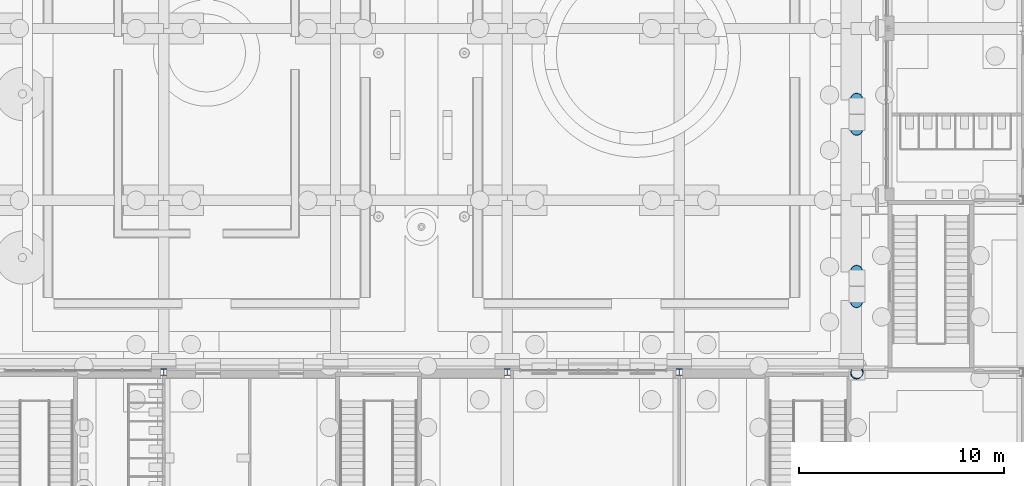
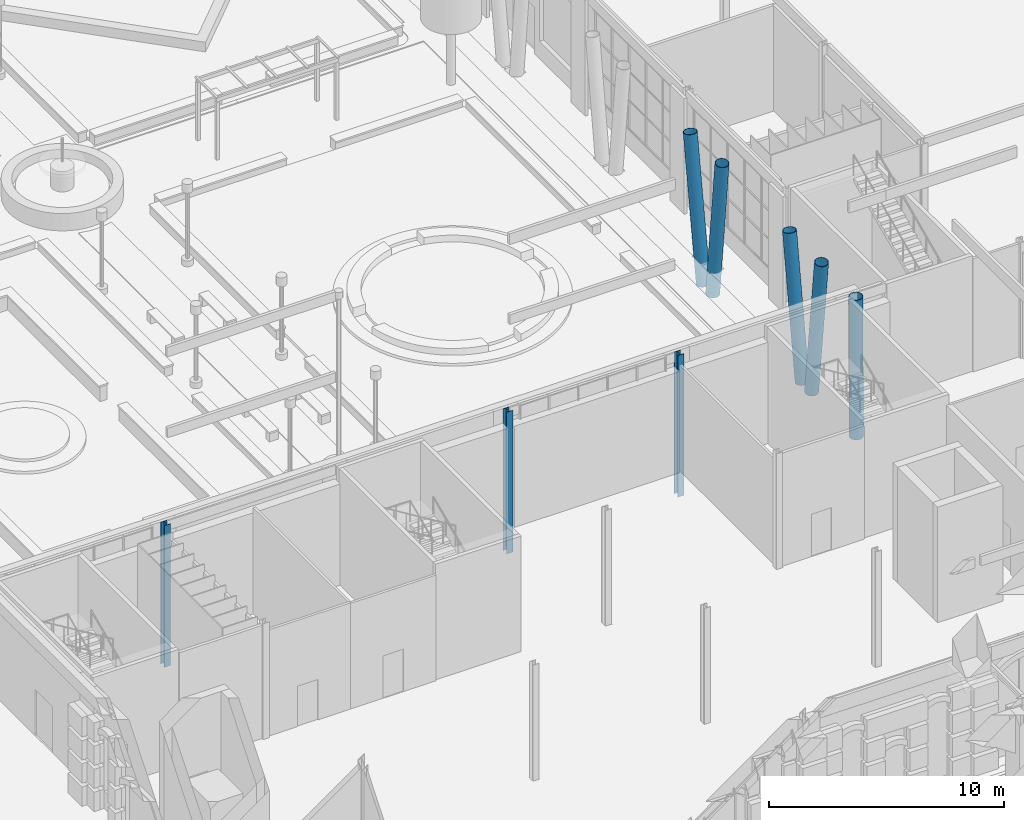
# One storey, part 16 of 222: 8 columns.
"""IFC4 building model written with IfcOpenShell, lengths in metres."""

from ifc_helpers import new_model, si_unit, direction, frame, origin, origin_2d, place, context, subcontext, project, spatial, hollow_circle, i_section, extrude, material, material_profile, profile_set, type_object, element, save


model = new_model("IFC4")

# Units and contexts
model_context = context("Model", 3, precision=1e-05, world=origin(), true_north=direction((0.0, 1.0)))
body_context = subcontext(model_context, "Body", "Model", "MODEL_VIEW")
ifc_project = project(units=[si_unit("LENGTHUNIT", "METRE"), si_unit("AREAUNIT", "SQUARE_METRE"), si_unit("VOLUMEUNIT", "CUBIC_METRE"), si_unit("PLANEANGLEUNIT", "RADIAN"), si_unit("MASSUNIT", "GRAM", prefix="KILO")], contexts=[model_context])

# Site, building, storey
site_placement = place(None, origin())
site = spatial("IfcSite", under=ifc_project, at=site_placement, CompositionType="ELEMENT")
building_placement = place(site_placement, origin())
building = spatial("IfcBuilding", under=site, at=building_placement, Name="Sava Quay Ferry Terminal", CompositionType="ELEMENT")
storey_placement = place(building_placement, origin())
storey = spatial("IfcBuildingStorey", under=building, at=storey_placement, Name="L00", CompositionType="ELEMENT", Elevation=0.0)

# Columns
ifc_material_1 = material(Name="Steel S355", Category="steel")
ifc_material_profile_1 = material_profile(ifc_material_1, i_section(OverallWidth=0.300048828125, OverallDepth=0.320068359375, WebThickness=0.011474609375, FlangeThickness=0.0205078125, at=origin_2d()), Name="HE 320 B")
ifc_profile_set_1 = profile_set([ifc_material_profile_1], Name="Steel S355")
column_type_1 = type_object("IfcColumnType", Name="Column HE 320 B", PredefinedType="COLUMN", material=ifc_profile_set_1)
for number, where, z_axis, x_axis, name in (
    (1, (8.39990234375, 50.39990234375, -1.35009765625), (0.0, 0.0, 1.0), (1.0, 0.0, 0.0), "Column L00 8.4/50.4"),
    (2, (25.199951171875, 50.39990234375, -1.35009765625), (0.0, 0.0, 1.0), (1.0, 0.0, 0.0), "Column L00 25.2/50.4"),
    (3, (33.60009765625, 50.39990234375, -1.35009765625), (0.0, 0.0, 1.0), (1.0, 0.0, 0.0), "Column L00 33.6/50.4"),
):
    element("IfcColumn", number, at=place(storey_placement, frame(where, z_axis=z_axis, x_axis=x_axis)), inside=storey, type_object=column_type_1, Name=name, PredefinedType="COLUMN", context=body_context, shape_type="SweptSolid", body=[
        extrude(i_section(OverallWidth=0.300048828125, OverallDepth=0.320068359375, WebThickness=0.011474609375, FlangeThickness=0.0205078125, at=origin_2d()), origin(), (0.0, 0.0, 1.0), 7.35009765625),
    ])
ifc_material_2 = material(Name="Steel S355", Category="steel")
ifc_material_profile_2 = material_profile(ifc_material_2, hollow_circle(Radius=0.304931640625, WallThickness=0.02001953125, at=origin_2d()), Name="CHS 610 x 20.0")
ifc_profile_set_2 = profile_set([ifc_material_profile_2], Name="Steel S355")
column_type_2 = type_object("IfcColumnType", Name="V column CHS 610x20", PredefinedType="COLUMN", material=ifc_profile_set_2)
column_1_placement = place(storey_placement, frame((42.300048828125, 50.39990234375, -1.35009765625), z_axis=(-0.012121219783, -0.01683687241, 0.999784774718), x_axis=(0.811564701734, -0.584262556475, 0.0)))
element("IfcColumn", 4, at=column_1_placement, inside=storey, type_object=column_type_2, Name="Departure hall V column D-VL0a part 1", PredefinedType="COLUMN", context=body_context, shape_type="SweptSolid", body=[
    extrude(hollow_circle(Radius=0.304931640625, WallThickness=0.02001953125, at=origin_2d()), origin(), (0.0, 0.0, 1.0), 7.3515625),
])
column_2_placement = place(storey_placement, frame((42.300048828125, 54.199951171875, -1.35009765625), z_axis=(-0.012011273809, -0.13541477185, 0.990716189868), x_axis=(0.996089227205, -0.088352993422, 0.0)))
element("IfcColumn", 5, at=column_2_placement, inside=storey, type_object=column_type_2, Name="Departure hall V column D-VL0b part 1", PredefinedType="COLUMN", context=body_context, shape_type="SweptSolid", body=[
    extrude(hollow_circle(Radius=0.304931640625, WallThickness=0.02001953125, at=origin_2d()), origin(), (0.0, 0.0, 1.0), 7.4189453125),
])
for number, where, z_axis, x_axis, name in (
    (6, (42.300048828125, 55.0, -1.35009765625), (-0.010972097036, 0.125997895094, 0.991969829944), (-0.996229827335, -0.086753277328, 0.0), "Departure hall V column D-VL1a part 1"),
    (7, (42.300048828125, 62.60009765625, -1.35009765625), (-0.010972097036, -0.125997895094, 0.991969829944), (0.996229827335, -0.086753277328, 0.0), "Departure hall V column D-VL1b part 1"),
):
    element("IfcColumn", number, at=place(storey_placement, frame(where, z_axis=z_axis, x_axis=x_axis)), inside=storey, type_object=column_type_2, Name=name, PredefinedType="COLUMN", context=body_context, shape_type="SweptSolid", body=[
        extrude(hollow_circle(Radius=0.304931640625, WallThickness=0.02001953125, at=origin_2d()), origin(), (0.0, 0.0, 1.0), 7.40966796875),
    ])
column_3_placement = place(storey_placement, frame((42.300048828125, 63.39990234375, -1.35009765625), z_axis=(-0.011425779166, 0.131050723576, 0.991309820097), x_axis=(-0.99622083839, -0.08685643993, 0.0)))
element("IfcColumn", 8, at=column_3_placement, inside=storey, type_object=column_type_2, Name="Departure hall V column D-VL2a part 1", PredefinedType="COLUMN", context=body_context, shape_type="SweptSolid", body=[
    extrude(hollow_circle(Radius=0.304931640625, WallThickness=0.02001953125, at=origin_2d()), origin(), (0.0, 0.0, 1.0), 7.41455078125),
])

save(model, "model.ifc")
